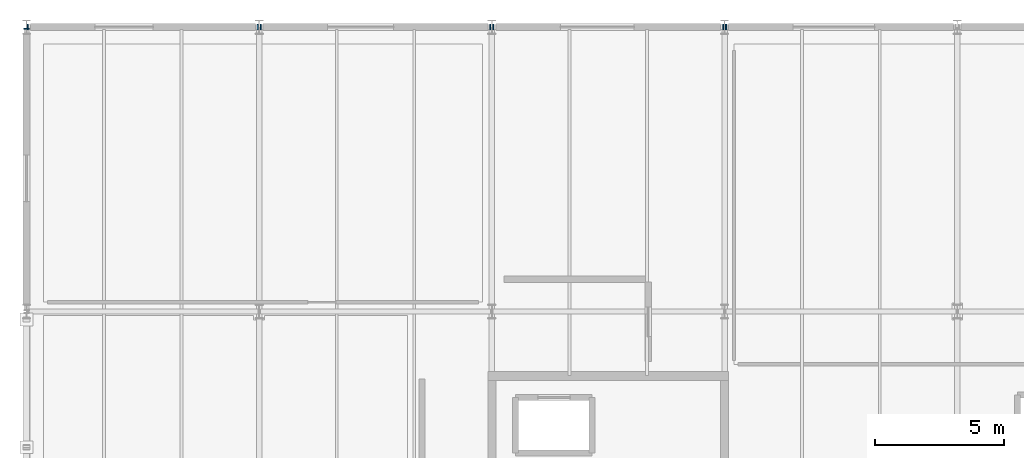
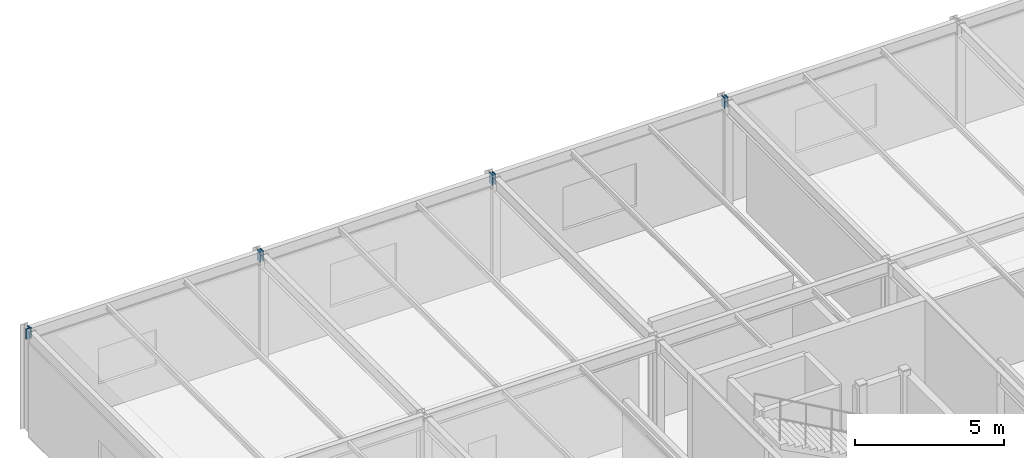
# One storey, part 39 of 44: 8 discrete accessories.
"""IFC4 building model written with IfcOpenShell, lengths in metres."""

from ifc_helpers import new_model, si_unit, direction, frame, origin, origin_2d, place, context, subcontext, project, spatial, rectangle, extrude, material, element, save


model = new_model("IFC4")

# Units and contexts
model_context = context("Model", 3, precision=1e-05, world=origin(), true_north=direction((0.0, 1.0)))
body_context = subcontext(model_context, "Body", "Model", "MODEL_VIEW")
ifc_project = project(units=[si_unit("LENGTHUNIT", "METRE"), si_unit("AREAUNIT", "SQUARE_METRE"), si_unit("VOLUMEUNIT", "CUBIC_METRE"), si_unit("PLANEANGLEUNIT", "RADIAN"), si_unit("MASSUNIT", "GRAM", prefix="KILO")], contexts=[model_context])

# Site, building, storey
site_placement = place(None, origin())
site = spatial("IfcSite", under=ifc_project, at=site_placement, CompositionType="ELEMENT")
building_placement = place(site_placement, origin())
building = spatial("IfcBuilding", under=site, at=building_placement, Name="Marlcrest Central Station", CompositionType="ELEMENT")
storey_placement = place(building_placement, frame((0.0, 0.0, 19.5)))
storey = spatial("IfcBuildingStorey", under=building, at=storey_placement, Name="L04", CompositionType="ELEMENT", Elevation=19.5)

# Discrete accessories
ifc_material = material(Name="Steel S355", Category="steel")
for number, where, z_axis, x_axis, name in (
    (1, (0.03515625, 132.0, 4.074951171875), (1.0, 0.0, 0.0), (0.0, 1.0, 0.0), "endcap-bm-SP-01-L04-00596-s"),
    (2, (8.925048828125, 132.0, 4.074951171875), (1.0, 0.0, 0.0), (0.0, 1.0, 0.0), "endcap-bm-SP-01-L04-00596-e"),
    (3, (9.03515625, 132.0, 4.074951171875), (1.0, 0.0, 0.0), (0.0, 1.0, 0.0), "endcap-bm-SP-01-L04-00597-s"),
    (4, (17.925048828125, 132.0, 4.074951171875), (1.0, 0.0, 0.0), (0.0, 1.0, 0.0), "endcap-bm-SP-01-L04-00597-e"),
    (5, (18.03515625, 132.0, 4.074951171875), (1.0, 0.0, 0.0), (0.0, 1.0, 0.0), "endcap-bm-SP-01-L04-00598-s"),
    (6, (26.925048828125, 132.0, 4.074951171875), (1.0, 0.0, 0.0), (0.0, 1.0, 0.0), "endcap-bm-SP-01-L04-00598-e"),
    (7, (27.03515625, 132.0, 4.074951171875), (1.0, 0.0, 0.0), (0.0, 1.0, 0.0), "endcap-bm-SP-01-L04-00599-s"),
    (8, (0.0, 131.925048828125, 4.074951171875), (0.0, 1.0, 0.0), (-1.0, 0.0, 0.0), "endcap-bm-SP-01-L04-00605-e"),
):
    element("IfcDiscreteAccessory", number, at=place(storey_placement, frame(where, z_axis=z_axis, x_axis=x_axis)), inside=storey, material=ifc_material, Name=name, ObjectType="END_CAP_PLATE", PredefinedType="BRACKET", context=body_context, shape_type="SweptSolid", body=[
        extrude(rectangle(XDim=0.216064453125, YDim=0.416015625, at=origin_2d()), origin(), (0.0, 0.0, 1.0), 0.0400390625),
    ])

save(model, "model.ifc")
